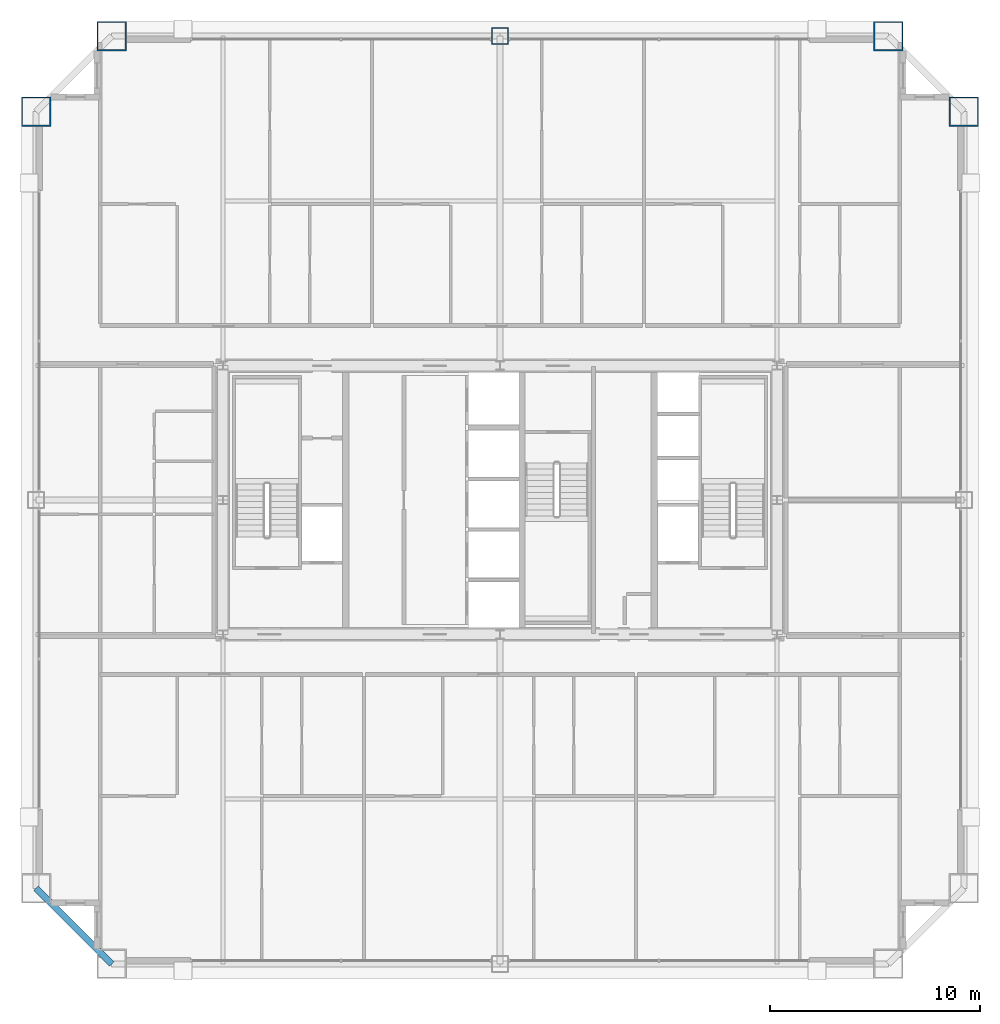
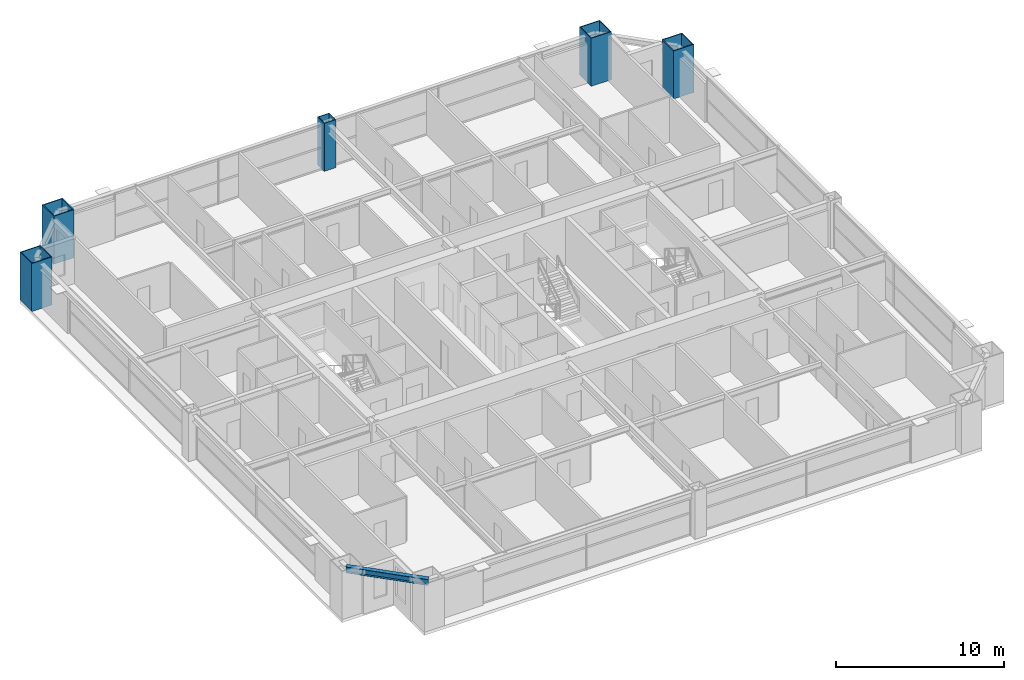
# One storey, part 3 of 38: 5 columns, 1 beam.
"""IFC4 building model written with IfcOpenShell, lengths in metres."""

from ifc_helpers import new_model, si_unit, direction, frame, origin, origin_2d, place, context, subcontext, project, spatial, hollow_rectangle, i_section, extrude, source, transform, mapped, material, material_profile, profile_set, type_object, element, save


model = new_model("IFC4")

# Units and contexts
model_context = context("Model", 3, precision=1e-05, world=origin(), true_north=direction((0.0, 1.0)))
body_context = subcontext(model_context, "Body", "Model", "MODEL_VIEW")
ifc_project = project(units=[si_unit("LENGTHUNIT", "METRE"), si_unit("AREAUNIT", "SQUARE_METRE"), si_unit("VOLUMEUNIT", "CUBIC_METRE"), si_unit("PLANEANGLEUNIT", "RADIAN"), si_unit("MASSUNIT", "GRAM", prefix="KILO"), si_unit("THERMODYNAMICTEMPERATUREUNIT", "KELVIN"), si_unit("POWERUNIT", "WATT")], contexts=[model_context])

# Site, building, storey
site_placement = place(None, origin())
site = spatial("IfcSite", under=ifc_project, at=site_placement, CompositionType="ELEMENT")
building_placement = place(site_placement, origin())
building = spatial("IfcBuilding", under=site, at=building_placement, Name="Yuzanri Waterfront Tower", CompositionType="ELEMENT")
storey_placement = place(building_placement, frame((0.0, 0.0, 209.0)))
storey = spatial("IfcBuildingStorey", under=building, at=storey_placement, Name="L55", CompositionType="ELEMENT", Elevation=209.0)

# Columns
ifc_material_1 = material(Name="Steel Q420GJC", Category="steel")
ifc_material_profile_1 = material_profile(ifc_material_1, hollow_rectangle(XDim=1.39990234375, YDim=1.39990234375, WallThickness=0.06005859375, at=origin_2d()), Name="RHS 1400x1400x60")
ifc_profile_set_1 = profile_set([ifc_material_profile_1], Name="Steel Q420GJC")
column_type_1 = type_object("IfcColumnType", Name="Mega Column Q420GJC RHS 1400x1400x60", PredefinedType="COLUMN", material=ifc_profile_set_1)
shared_shape_1 = source(origin(), body_context, "Body", "SweptSolid", [
    extrude(hollow_rectangle(XDim=1.39990234375, YDim=1.39990234375, WallThickness=0.06005859375, at=origin_2d()), origin(), (0.0, 0.0, 1.0), 3.5),
])
for number, where, z_axis, x_axis, name in (
    (1, (18.5, 47.89990234375, 0.0), (0.0, 0.0, 1.0), (1.0, 0.0, 0.0), "L55 Perimeter Mega Column N1"),
    (2, (55.5, 47.89990234375, 0.0), (0.0, 0.0, 1.0), (1.0, 0.0, 0.0), "L55 Perimeter Mega Column N3"),
    (3, (14.89990234375, 44.300048828125, 0.0), (0.0, 0.0, 1.0), (1.0, 0.0, 0.0), "L55 Perimeter Mega Column W3"),
    (4, (59.10009765625, 44.300048828125, 0.0), (0.0, 0.0, 1.0), (1.0, 0.0, 0.0), "L55 Perimeter Mega Column E3"),
):
    element("IfcColumn", number, at=place(storey_placement, frame(where, z_axis=z_axis, x_axis=x_axis)), inside=storey, type_object=column_type_1, Name=name, PredefinedType="COLUMN", context=body_context, shape_type="MappedRepresentation", body=[
        mapped(shared_shape_1, transform((0.0, 0.0, 0.0), scale=1.0)),
    ])
ifc_material_2 = material(Name="Steel Q390GJC", Category="steel")
ifc_material_profile_2 = material_profile(ifc_material_2, hollow_rectangle(XDim=0.800048828125, YDim=0.800048828125, WallThickness=0.035888671875, at=origin_2d()), Name="RHS 800x800x36")
ifc_profile_set_2 = profile_set([ifc_material_profile_2], Name="Steel Q390GJC")
column_type_2 = type_object("IfcColumnType", Name="Frame Column Q390GJC RHS 800x800x36", PredefinedType="COLUMN", material=ifc_profile_set_2)
shared_shape_2 = source(origin(), body_context, "Body", "SweptSolid", [
    extrude(hollow_rectangle(XDim=0.800048828125, YDim=0.800048828125, WallThickness=0.035888671875, at=origin_2d()), origin(), (0.0, 0.0, 1.0), 3.5),
])
column_placement = place(storey_placement, frame((37.0, 47.89990234375, 0.0), z_axis=(0.0, 0.0, 1.0), x_axis=(1.0, 0.0, 0.0)))
element("IfcColumn", 5, at=column_placement, inside=storey, type_object=column_type_2, Name="L55 Perimeter Frame Column N2", PredefinedType="COLUMN", context=body_context, shape_type="MappedRepresentation", body=[
    mapped(shared_shape_2, transform((0.0, 0.0, 0.0), scale=1.0)),
])

# Beam
ifc_material_3 = material(Name="Steel Q355B", Category="steel")
ifc_material_profile_3 = material_profile(ifc_material_3, i_section(OverallWidth=0.300048828125, OverallDepth=0.43994140625, WebThickness=0.010986328125, FlangeThickness=0.01806640625, at=origin_2d()), Name="HM 440x300x11x18")
ifc_profile_set_3 = profile_set([ifc_material_profile_3], Name="Steel Q355B")
beam_type = type_object("IfcBeamType", Name="Perimeter Spandrel Q355B HM 440x300", PredefinedType="SPANDREL", material=ifc_profile_set_3)
shared_shape_3 = source(origin(), body_context, "Body", "SweptSolid", [
    extrude(i_section(OverallWidth=0.300048828125, OverallDepth=0.43994140625, WebThickness=0.010986328125, FlangeThickness=0.01806640625, at=origin_2d()), origin(), (0.0, 0.0, 1.0), 5.09130859375),
])
beam_placement = place(storey_placement, frame((14.89990234375, 7.300048828125, 3.06005859375), z_axis=(0.707106781187, -0.707106781187, 0.0), x_axis=(0.707106781187, 0.707106781187, 0.0)))
element("IfcBeam", 6, at=beam_placement, inside=storey, type_object=beam_type, Name="L55 Perimeter Spandrel W1-S1", PredefinedType="SPANDREL", context=body_context, shape_type="MappedRepresentation", body=[
    mapped(shared_shape_3, transform((0.0, 0.0, 0.0), scale=1.0)),
])

save(model, "model.ifc")
